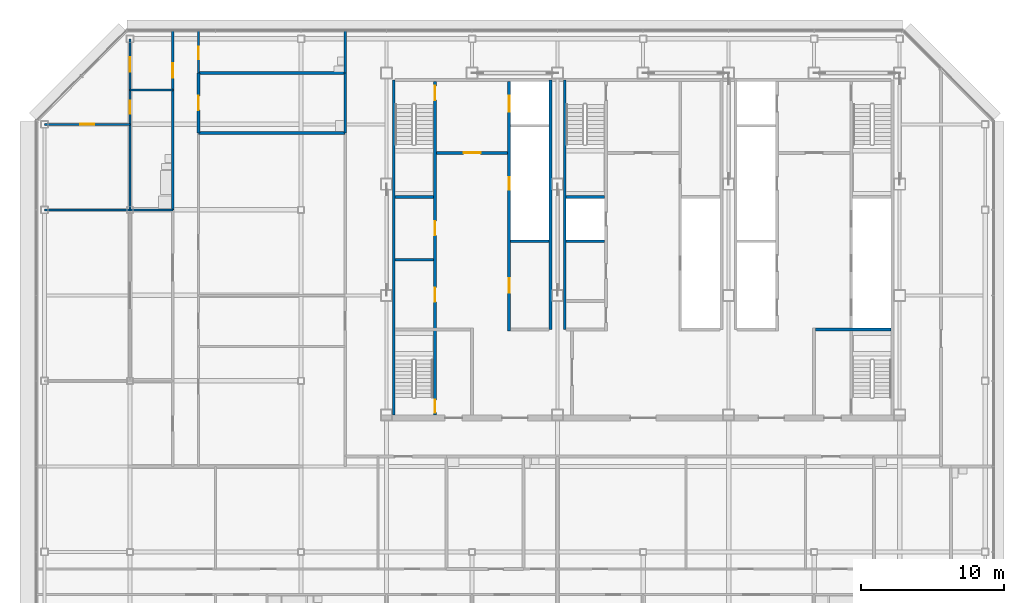
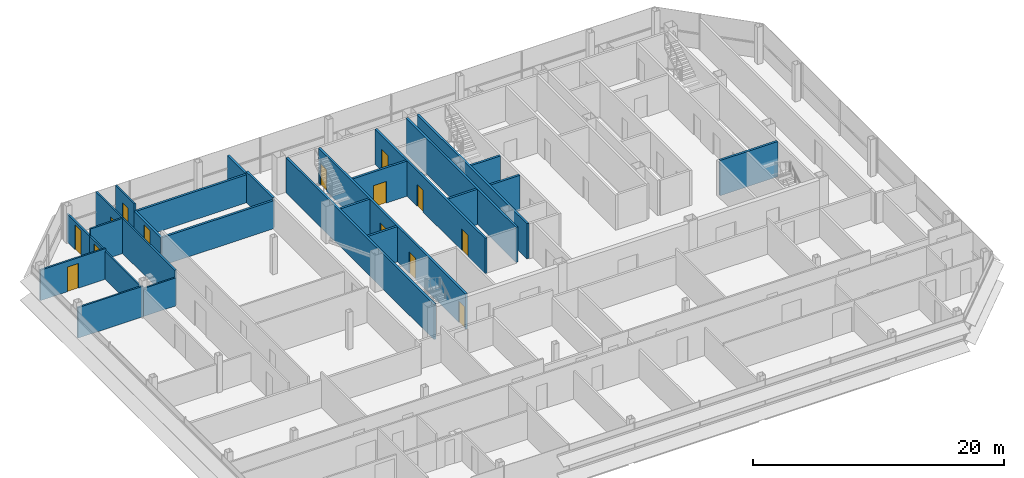
# One storey, part 23 of 27: 26 walls, 14 doors, 14 openings.
"""IFC4 building model written with IfcOpenShell, lengths in metres."""

from ifc_helpers import new_model, si_unit, direction, frame, frame_2d, origin, place, context, subcontext, project, spatial, rectangle, extrude, material, layer, layer_set, type_object, element, fill, save


model = new_model("IFC4")

# Units and contexts
model_context = context("Model", 3, precision=1e-05, world=origin(), true_north=direction((0.0, 1.0)))
body_context = subcontext(model_context, "Body", "Model", "MODEL_VIEW")
ifc_project = project(units=[si_unit("LENGTHUNIT", "METRE"), si_unit("AREAUNIT", "SQUARE_METRE"), si_unit("VOLUMEUNIT", "CUBIC_METRE"), si_unit("PLANEANGLEUNIT", "RADIAN"), si_unit("MASSUNIT", "GRAM", prefix="KILO")], contexts=[model_context])

# Site, building, storey
site_placement = place(None, origin())
site = spatial("IfcSite", under=ifc_project, at=site_placement, CompositionType="ELEMENT")
building_placement = place(site_placement, origin())
building = spatial("IfcBuilding", under=site, at=building_placement, Name="Sorahane Residences", CompositionType="ELEMENT")
storey_placement = place(building_placement, frame((0.0, 0.0, 316.0)))
storey = spatial("IfcBuildingStorey", under=building, at=storey_placement, Name="L75", CompositionType="ELEMENT", Elevation=316.0)

# Walls
ifc_material_1 = material(Name="Concrete C30", Category="concrete")
ifc_layer_1 = layer(ifc_material_1, 0.199951171875)
ifc_layer_set_1 = layer_set([ifc_layer_1], Name="Core face wall 200 EI 180")
wall_type_1 = type_object("IfcWallType", Name="Core face wall 200 EI 180", PredefinedType="SOLIDWALL", material=ifc_layer_set_1)
wall_1_placement = place(storey_placement, frame((6.5, 21.60009765625, 0.0), z_axis=(0.0, 0.0, 1.0), x_axis=(0.0, 1.0, 0.0)))
element("IfcWall", 1, at=wall_1_placement, inside=storey, type_object=wall_type_1, Name="L75 core face wall", PredefinedType="SOLIDWALL", context=body_context, shape_type="SweptSolid", body=[
    extrude(rectangle(XDim=23.5, YDim=0.199951171875, at=frame_2d((11.75, 0.0))), origin(), (0.0, 0.0, 1.0), 3.419921875),
])
for number, where, z_axis, x_axis, name in (
    (2, (17.5, 27.60009765625, 0.0), (0.0, 0.0, 1.0), (0.0, 1.0, 0.0), "L75 core face wall"),
    (3, (18.5, 27.60009765625, 0.0), (0.0, 0.0, 1.0), (0.0, 1.0, 0.0), "L75 core face wall"),
):
    element("IfcWall", number, at=place(storey_placement, frame(where, z_axis=z_axis, x_axis=x_axis)), inside=storey, type_object=wall_type_1, Name=name, PredefinedType="SOLIDWALL", context=body_context, shape_type="SweptSolid", body=[
        extrude(rectangle(XDim=17.5, YDim=0.199951171875, at=frame_2d((8.75, 0.0))), origin(), (0.0, 0.0, 1.0), 3.419921875),
    ])
ifc_material_2 = material(Name="Concrete blockwork C20 wall", Category="masonry")
ifc_layer_2 = layer(ifc_material_2, 0.199951171875)
ifc_layer_set_2 = layer_set([ifc_layer_2], Name="Corridor wall 200 EI 120")
wall_type_2 = type_object("IfcWallType", Name="Corridor wall 200 EI 120", PredefinedType="SOLIDWALL", material=ifc_layer_set_2)
wall_2_placement = place(storey_placement, frame((3.10009765625, 45.60009765625, 0.0), z_axis=(0.0, 0.0, 1.0), x_axis=(0.0, 1.0, 0.0)))
element("IfcWall", 4, at=wall_2_placement, inside=storey, type_object=wall_type_2, Name="L75 corridor wall", PredefinedType="SOLIDWALL", context=body_context, shape_type="SweptSolid", body=[
    extrude(rectangle(XDim=3.0, YDim=0.199951171875, at=frame_2d((1.5, 0.0))), origin(), (0.0, 0.0, 1.0), 2.719970703125),
])

# Wall, opening, door
ifc_material_3 = material(Name="Concrete C30", Category="concrete")
ifc_layer_3 = layer(ifc_material_3, 0.199951171875)
ifc_layer_set_3 = layer_set([ifc_layer_3], Name="Front room wall 200 EI 120")
wall_type_3 = type_object("IfcWallType", Name="Front room wall 200 EI 120", PredefinedType="PARTITIONING", material=ifc_layer_set_3)
wall_3_placement = place(storey_placement, frame((9.5, 40.0, 0.0), z_axis=(0.0, 0.0, 1.0), x_axis=(1.0, 0.0, 0.0)))
wall_3 = element("IfcWall", 5, at=wall_3_placement, inside=storey, type_object=wall_type_3, Name="L75 front room wall", PredefinedType="PARTITIONING", context=body_context, shape_type="SweptSolid", body=[
    extrude(rectangle(XDim=5.0, YDim=0.199951171875, at=frame_2d((2.5, 0.0))), origin(), (0.0, 0.0, 1.0), 3.419921875),
])
opening_1_placement = place(wall_3_placement, frame((1.89990234375, 0.0, 0.0)))
opening_1 = element("IfcOpeningElement", 6, at=opening_1_placement, cuts=wall_3, Name="Opening L75-C07", PredefinedType="OPENING", context=body_context, shape_type="SweptSolid", body=[
    extrude(rectangle(XDim=1.199951171875, YDim=2.10009765625, at=frame_2d((0.60009765625, 1.050048828125))), frame((0.0, 0.10986328125, 0.0), z_axis=(0.0, -1.0, 0.0), x_axis=(1.0, 0.0, 0.0)), (0.0, 0.0, 1.0), 0.219970703125),
])
ifc_material_4 = material(Name="Steel", Category="steel")
door_type_1 = type_object("IfcDoorType", Name="Front room door 1200x2100 FD120", OperationType="NOTDEFINED", PredefinedType="DOOR", material=ifc_material_4)
door_1_placement = place(opening_1_placement, frame((1.199951171875, 0.0, 0.0), z_axis=(0.0, 0.0, 1.0), x_axis=(-1.0, 0.0, 0.0)))
door_1 = element("IfcDoor", 7, at=door_1_placement, inside=storey, type_object=door_type_1, Name="Front room door Firefighting lobby FF1 front room L75", OperationType="DOUBLE_DOOR_SINGLE_SWING", OverallHeight=2.10009765625, OverallWidth=1.199951171875, PredefinedType="DOOR", context=body_context, shape_type="SweptSolid", body=[
    extrude(rectangle(XDim=1.199951171875, YDim=2.10009765625, at=frame_2d((0.60009765625, 1.050048828125))), frame((0.0, 0.02490234375, 0.0), z_axis=(0.0, -1.0, 0.0), x_axis=(1.0, 0.0, 0.0)), (0.0, 0.0, 1.0), 0.050048828125),
])
fill(opening_1, door_1)

ifc_material_5 = material(Name="Concrete blockwork C20 wall", Category="masonry")
ifc_layer_4 = layer(ifc_material_5, 0.199951171875)
ifc_layer_set_4 = layer_set([ifc_layer_4], Name="Kitchen wall 200 EI 180")
wall_type_4 = type_object("IfcWallType", Name="Kitchen wall 200 EI 180", PredefinedType="SOLIDWALL", material=ifc_layer_set_4)
wall_4_placement = place(storey_placement, frame((-7.199951171875, 41.39990234375, 0.0), z_axis=(0.0, 0.0, 1.0), x_axis=(0.0, 1.0, 0.0)))
wall_4 = element("IfcWall", 8, at=wall_4_placement, inside=storey, type_object=wall_type_4, Name="L75 kitchen wall", PredefinedType="SOLIDWALL", context=body_context, shape_type="SweptSolid", body=[
    extrude(rectangle(XDim=4.2001953125, YDim=0.199951171875, at=frame_2d((2.10009765625, 0.0))), origin(), (0.0, 0.0, 1.0), 2.719970703125),
])
opening_2_placement = place(wall_4_placement, frame((1.60009765625, 0.0, 0.0)))
opening_2 = element("IfcOpeningElement", 9, at=opening_2_placement, cuts=wall_4, Name="Opening L75-29", PredefinedType="OPENING", context=body_context, shape_type="SweptSolid", body=[
    extrude(rectangle(XDim=1.0, YDim=2.39990234375, at=frame_2d((0.5, 1.199951171875))), frame((0.0, 0.10986328125, 0.0), z_axis=(0.0, -1.0, 0.0), x_axis=(1.0, 0.0, 0.0)), (0.0, 0.0, 1.0), 0.219970703125),
])
ifc_material_6 = material(Name="Steel", Category="steel")
door_type_2 = type_object("IfcDoorType", Name="Kitchen door 1000x2400 FD120", OperationType="NOTDEFINED", PredefinedType="DOOR", material=ifc_material_6)
door_2_placement = place(opening_2_placement, frame((1.0, 0.0, 0.0), z_axis=(0.0, 0.0, 1.0), x_axis=(-1.0, 0.0, 0.0)))
door_2 = element("IfcDoor", 10, at=door_2_placement, inside=storey, type_object=door_type_2, Name="Kitchen door L75-29", OperationType="SINGLE_SWING_LEFT", OverallHeight=2.39990234375, OverallWidth=1.0, PredefinedType="DOOR", context=body_context, shape_type="SweptSolid", body=[
    extrude(rectangle(XDim=1.0, YDim=2.39990234375, at=frame_2d((0.5, 1.199951171875))), frame((0.0, 0.02490234375, 0.0), z_axis=(0.0, -1.0, 0.0), x_axis=(1.0, 0.0, 0.0)), (0.0, 0.0, 1.0), 0.050048828125),
])
fill(opening_2, door_2)

# Walls
wall_5_placement = place(storey_placement, frame((3.10009765625, 41.39990234375, 0.0), z_axis=(0.0, 0.0, 1.0), x_axis=(0.0, 1.0, 0.0)))
element("IfcWall", 11, at=wall_5_placement, inside=storey, type_object=wall_type_4, Name="L75 kitchen wall", PredefinedType="SOLIDWALL", context=body_context, shape_type="SweptSolid", body=[
    extrude(rectangle(XDim=4.2001953125, YDim=0.199951171875, at=frame_2d((2.10009765625, 0.0))), origin(), (0.0, 0.0, 1.0), 2.969970703125),
])
for number, where, z_axis, x_axis, name in (
    (12, (-7.199951171875, 41.39990234375, 0.0), (0.0, 0.0, 1.0), (1.0, 0.0, 0.0), "L75 kitchen wall"),
    (13, (-7.199951171875, 45.60009765625, 0.0), (0.0, 0.0, 1.0), (1.0, 0.0, 0.0), "L75 kitchen wall"),
):
    element("IfcWall", number, at=place(storey_placement, frame(where, z_axis=z_axis, x_axis=x_axis)), inside=storey, type_object=wall_type_4, Name=name, PredefinedType="SOLIDWALL", context=body_context, shape_type="SweptSolid", body=[
        extrude(rectangle(XDim=10.300048828125, YDim=0.199951171875, at=frame_2d((5.14990234375, 0.0))), origin(), (0.0, 0.0, 1.0), 2.719970703125),
    ])

# Wall, openings, doors
ifc_material_7 = material(Name="Concrete C30", Category="concrete")
ifc_layer_5 = layer(ifc_material_7, 0.199951171875)
ifc_layer_set_5 = layer_set([ifc_layer_5], Name="Lift shaft wall 200 EI 120")
wall_type_5 = type_object("IfcWallType", Name="Lift shaft wall 200 EI 120", PredefinedType="SOLIDWALL", material=ifc_layer_set_5)
wall_6_placement = place(storey_placement, frame((14.60009765625, 27.5, 0.0), z_axis=(0.0, 0.0, 1.0), x_axis=(0.0, 1.0, 0.0)))
wall_6 = element("IfcWall", 14, at=wall_6_placement, inside=storey, type_object=wall_type_5, Name="L75 lift shaft wall", PredefinedType="SOLIDWALL", context=body_context, shape_type="SweptSolid", body=[
    extrude(rectangle(XDim=17.5, YDim=0.199951171875, at=frame_2d((8.75, 0.0))), origin(), (0.0, 0.0, 1.0), 3.419921875),
])
opening_3_placement = place(wall_6_placement, frame((15.39990234375, 0.0, 0.0)))
opening_3 = element("IfcOpeningElement", 15, at=opening_3_placement, cuts=wall_6, Name="Opening L75-C16", PredefinedType="OPENING", context=body_context, shape_type="SweptSolid", body=[
    extrude(rectangle(XDim=1.10009765625, YDim=2.10009765625, at=frame_2d((0.550048828125, 1.050048828125))), frame((0.0, 0.10986328125, 0.0), z_axis=(0.0, -1.0, 0.0), x_axis=(1.0, 0.0, 0.0)), (0.0, 0.0, 1.0), 0.219970703125),
])
opening_4_placement = place(wall_6_placement, frame((2.699951171875, 0.0, 0.0)))
opening_4 = element("IfcOpeningElement", 16, at=opening_4_placement, cuts=wall_6, Name="Opening L75-C19", PredefinedType="OPENING", context=body_context, shape_type="SweptSolid", body=[
    extrude(rectangle(XDim=1.0, YDim=2.10009765625, at=frame_2d((0.5, 1.050048828125))), frame((0.0, 0.10986328125, 0.0), z_axis=(0.0, -1.0, 0.0), x_axis=(1.0, 0.0, 0.0)), (0.0, 0.0, 1.0), 0.219970703125),
])
opening_5_placement = place(wall_6_placement, frame((9.89990234375, 0.0, 0.0)))
opening_5 = element("IfcOpeningElement", 17, at=opening_5_placement, cuts=wall_6, Name="Opening L75-C27", PredefinedType="OPENING", context=body_context, shape_type="SweptSolid", body=[
    extrude(rectangle(XDim=0.89990234375, YDim=2.10009765625, at=frame_2d((0.449951171875, 1.050048828125))), frame((0.0, 0.10986328125, 0.0), z_axis=(0.0, -1.0, 0.0), x_axis=(1.0, 0.0, 0.0)), (0.0, 0.0, 1.0), 0.219970703125),
])
ifc_material_8 = material(Name="Aluminium and stainless steel", Category="steel")
door_type_3 = type_object("IfcDoorType", Name="Lift landing door 1100x2100 E 60", OperationType="NOTDEFINED", PredefinedType="DOOR", material=ifc_material_8)
door_3_placement = place(opening_3_placement, origin())
door_3 = element("IfcDoor", 18, at=door_3_placement, inside=storey, type_object=door_type_3, Name="Lift landing door FF1 L75", OperationType="DOUBLE_DOOR_SLIDING", OverallHeight=2.10009765625, OverallWidth=1.10009765625, PredefinedType="DOOR", context=body_context, shape_type="SweptSolid", body=[
    extrude(rectangle(XDim=1.10009765625, YDim=2.10009765625, at=frame_2d((0.550048828125, 1.050048828125))), frame((0.0, 0.02490234375, 0.0), z_axis=(0.0, -1.0, 0.0), x_axis=(1.0, 0.0, 0.0)), (0.0, 0.0, 1.0), 0.050048828125),
])
fill(opening_3, door_3)
ifc_material_9 = material(Name="Steel", Category="steel")
door_type_4 = type_object("IfcDoorType", Name="Riser door 900x2100 FD120", OperationType="NOTDEFINED", PredefinedType="DOOR", material=ifc_material_9)
door_4_placement = place(opening_5_placement, origin())
door_4 = element("IfcDoor", 19, at=door_4_placement, inside=storey, type_object=door_type_4, Name="Riser door R1 L75", OperationType="SINGLE_SWING_LEFT", OverallHeight=2.10009765625, OverallWidth=0.89990234375, PredefinedType="DOOR", context=body_context, shape_type="SweptSolid", body=[
    extrude(rectangle(XDim=0.89990234375, YDim=2.10009765625, at=frame_2d((0.449951171875, 1.050048828125))), frame((0.0, 0.02490234375, 0.0), z_axis=(0.0, -1.0, 0.0), x_axis=(1.0, 0.0, 0.0)), (0.0, 0.0, 1.0), 0.050048828125),
])
fill(opening_5, door_4)
ifc_material_10 = material(Name="Steel", Category="steel")
door_type_5 = type_object("IfcDoorType", Name="Service room door 1000x2100 FD60", OperationType="NOTDEFINED", PredefinedType="DOOR", material=ifc_material_10)
door_5_placement = place(opening_4_placement, frame((1.0, 0.0, 0.0), z_axis=(0.0, 0.0, 1.0), x_axis=(-1.0, 0.0, 0.0)))
door_5 = element("IfcDoor", 20, at=door_5_placement, inside=storey, type_object=door_type_5, Name="Service room door Lounge L75", OperationType="SINGLE_SWING_RIGHT", OverallHeight=2.10009765625, OverallWidth=1.0, PredefinedType="DOOR", context=body_context, shape_type="SweptSolid", body=[
    extrude(rectangle(XDim=1.0, YDim=2.10009765625, at=frame_2d((0.5, 1.050048828125))), frame((0.0, 0.02490234375, 0.0), z_axis=(0.0, -1.0, 0.0), x_axis=(1.0, 0.0, 0.0)), (0.0, 0.0, 1.0), 0.050048828125),
])
fill(opening_4, door_5)

# Wall, opening, door
ifc_material_11 = material(Name="Gypsum board partition on steel studs", Category="steel")
ifc_layer_6 = layer(ifc_material_11, 0.14990234375)
ifc_layer_set_6 = layer_set([ifc_layer_6], Name="Partition 150 EI 90")
wall_type_6 = type_object("IfcWallType", Name="Partition 150 EI 90", PredefinedType="PARTITIONING", material=ifc_layer_set_6)
wall_7_placement = place(storey_placement, frame((-12.0, 44.39990234375, 0.0), z_axis=(0.0, 0.0, 1.0), x_axis=(0.0, 1.0, 0.0)))
wall_7 = element("IfcWall", 21, at=wall_7_placement, inside=storey, type_object=wall_type_6, Name="L75 partition", PredefinedType="PARTITIONING", context=body_context, shape_type="SweptSolid", body=[
    extrude(rectangle(XDim=3.60009765625, YDim=0.14990234375, at=frame_2d((1.800048828125, 0.0))), origin(), (0.0, 0.0, 1.0), 2.719970703125),
])
opening_6_placement = place(wall_7_placement, frame((1.300048828125, 0.0, 0.0)))
opening_6 = element("IfcOpeningElement", 22, at=opening_6_placement, cuts=wall_7, Name="Opening L75-35", PredefinedType="OPENING", context=body_context, shape_type="SweptSolid", body=[
    extrude(rectangle(XDim=1.0, YDim=2.39990234375, at=frame_2d((0.5, 1.199951171875))), frame((0.0, 0.0849609375, 0.0), z_axis=(0.0, -1.0, 0.0), x_axis=(1.0, 0.0, 0.0)), (0.0, 0.0, 1.0), 0.169921875),
])
ifc_material_12 = material(Name="Timber veneered fire door", Category="wood")
door_type_6 = type_object("IfcDoorType", Name="Room door 1000x2400 FD30", OperationType="NOTDEFINED", PredefinedType="DOOR", material=ifc_material_12)
door_6_placement = place(opening_6_placement, origin())
door_6 = element("IfcDoor", 23, at=door_6_placement, inside=storey, type_object=door_type_6, Name="Room door L75-35", OperationType="SINGLE_SWING_RIGHT", OverallHeight=2.39990234375, OverallWidth=1.0, PredefinedType="DOOR", context=body_context, shape_type="SweptSolid", body=[
    extrude(rectangle(XDim=1.0, YDim=2.39990234375, at=frame_2d((0.5, 1.199951171875))), frame((0.0, 0.02490234375, 0.0), z_axis=(0.0, -1.0, 0.0), x_axis=(1.0, 0.0, 0.0)), (0.0, 0.0, 1.0), 0.050048828125),
])
fill(opening_6, door_6)

wall_8_placement = place(storey_placement, frame((-9.0, 44.39990234375, 0.0), z_axis=(0.0, 0.0, 1.0), x_axis=(0.0, 1.0, 0.0)))
wall_8 = element("IfcWall", 24, at=wall_8_placement, inside=storey, type_object=wall_type_6, Name="L75 partition", PredefinedType="PARTITIONING", context=body_context, shape_type="SweptSolid", body=[
    extrude(rectangle(XDim=4.2001953125, YDim=0.14990234375, at=frame_2d((2.10009765625, 0.0))), origin(), (0.0, 0.0, 1.0), 3.419921875),
])
opening_7_placement = place(wall_8_placement, frame((0.8798828125, 0.0, 0.0)))
opening_7 = element("IfcOpeningElement", 25, at=opening_7_placement, cuts=wall_8, Name="Opening L75-33", PredefinedType="OPENING", context=body_context, shape_type="SweptSolid", body=[
    extrude(rectangle(XDim=1.0, YDim=2.39990234375, at=frame_2d((0.5, 1.199951171875))), frame((0.0, 0.0849609375, 0.0), z_axis=(0.0, -1.0, 0.0), x_axis=(1.0, 0.0, 0.0)), (0.0, 0.0, 1.0), 0.169921875),
])
door_7_placement = place(opening_7_placement, origin())
door_7 = element("IfcDoor", 26, at=door_7_placement, inside=storey, type_object=door_type_6, Name="Room door L75-33", OperationType="SINGLE_SWING_RIGHT", OverallHeight=2.39990234375, OverallWidth=1.0, PredefinedType="DOOR", context=body_context, shape_type="SweptSolid", body=[
    extrude(rectangle(XDim=1.0, YDim=2.39990234375, at=frame_2d((0.5, 1.199951171875))), frame((0.0, 0.02490234375, 0.0), z_axis=(0.0, -1.0, 0.0), x_axis=(1.0, 0.0, 0.0)), (0.0, 0.0, 1.0), 0.050048828125),
])
fill(opening_7, door_7)

# Wall
wall_9_placement = place(storey_placement, frame((-18.0, 36.0, 0.0), z_axis=(0.0, 0.0, 1.0), x_axis=(1.0, 0.0, 0.0)))
element("IfcWall", 27, at=wall_9_placement, inside=storey, type_object=wall_type_6, Name="L75 partition", PredefinedType="PARTITIONING", context=body_context, shape_type="SweptSolid", body=[
    extrude(rectangle(XDim=6.0, YDim=0.14990234375, at=frame_2d((3.0, 0.0))), origin(), (0.0, 0.0, 1.0), 2.969970703125),
])

# Wall, opening, door
wall_10_placement = place(storey_placement, frame((-18.0, 42.0, 0.0), z_axis=(0.0, 0.0, 1.0), x_axis=(1.0, 0.0, 0.0)))
wall_10 = element("IfcWall", 28, at=wall_10_placement, inside=storey, type_object=wall_type_6, Name="L75 partition", PredefinedType="PARTITIONING", context=body_context, shape_type="SweptSolid", body=[
    extrude(rectangle(XDim=6.0, YDim=0.14990234375, at=frame_2d((3.0, 0.0))), origin(), (0.0, 0.0, 1.0), 2.969970703125),
])
opening_8_placement = place(wall_10_placement, frame((2.5, 0.0, 0.0)))
opening_8 = element("IfcOpeningElement", 29, at=opening_8_placement, cuts=wall_10, Name="Opening L75-36", PredefinedType="OPENING", context=body_context, shape_type="SweptSolid", body=[
    extrude(rectangle(XDim=1.0, YDim=2.39990234375, at=frame_2d((0.5, 1.199951171875))), frame((0.0, 0.0849609375, 0.0), z_axis=(0.0, -1.0, 0.0), x_axis=(1.0, 0.0, 0.0)), (0.0, 0.0, 1.0), 0.169921875),
])
door_8_placement = place(opening_8_placement, frame((1.0, 0.0, 0.0), z_axis=(0.0, 0.0, 1.0), x_axis=(-1.0, 0.0, 0.0)))
door_8 = element("IfcDoor", 30, at=door_8_placement, inside=storey, type_object=door_type_6, Name="Room door L75-36", OperationType="SINGLE_SWING_LEFT", OverallHeight=2.39990234375, OverallWidth=1.0, PredefinedType="DOOR", context=body_context, shape_type="SweptSolid", body=[
    extrude(rectangle(XDim=1.0, YDim=2.39990234375, at=frame_2d((0.5, 1.199951171875))), frame((0.0, 0.02490234375, 0.0), z_axis=(0.0, -1.0, 0.0), x_axis=(1.0, 0.0, 0.0)), (0.0, 0.0, 1.0), 0.050048828125),
])
fill(opening_8, door_8)

# Walls
ifc_material_13 = material(Name="Concrete C30", Category="concrete")
ifc_layer_7 = layer(ifc_material_13, 0.199951171875)
ifc_layer_set_7 = layer_set([ifc_layer_7], Name="Riser shaft wall 200 EI 120")
wall_type_7 = type_object("IfcWallType", Name="Riser shaft wall 200 EI 120", PredefinedType="SOLIDWALL", material=ifc_layer_set_7)
for number, where, z_axis, x_axis, name in (
    (31, (14.699951171875, 33.800048828125, 0.0), (0.0, 0.0, 1.0), (1.0, 0.0, 0.0), "L75 riser wall"),
    (32, (18.60009765625, 33.800048828125, 0.0), (0.0, 0.0, 1.0), (1.0, 0.0, 0.0), "L75 riser wall"),
):
    element("IfcWall", number, at=place(storey_placement, frame(where, z_axis=z_axis, x_axis=x_axis)), inside=storey, type_object=wall_type_7, Name=name, PredefinedType="SOLIDWALL", context=body_context, shape_type="SweptSolid", body=[
        extrude(rectangle(XDim=2.699951171875, YDim=0.199951171875, at=frame_2d((1.35009765625, 0.0))), origin(), (0.0, 0.0, 1.0), 3.419921875),
    ])
ifc_material_14 = material(Name="Concrete C30", Category="concrete")
ifc_layer_8 = layer(ifc_material_14, 0.199951171875)
ifc_layer_set_8 = layer_set([ifc_layer_8], Name="Service room partition 200 EI 60")
wall_type_8 = type_object("IfcWallType", Name="Service room partition 200 EI 60", PredefinedType="PARTITIONING", material=ifc_layer_set_8)
wall_11_placement = place(storey_placement, frame((6.60009765625, 32.5, 0.0), z_axis=(0.0, 0.0, 1.0), x_axis=(1.0, 0.0, 0.0)))
element("IfcWall", 33, at=wall_11_placement, inside=storey, type_object=wall_type_8, Name="L75 service room wall", PredefinedType="PARTITIONING", context=body_context, shape_type="SweptSolid", body=[
    extrude(rectangle(XDim=2.699951171875, YDim=0.199951171875, at=frame_2d((1.35009765625, 0.0))), origin(), (0.0, 0.0, 1.0), 3.419921875),
])

# Wall, openings, doors
ifc_material_15 = material(Name="Concrete C30", Category="concrete")
ifc_layer_9 = layer(ifc_material_15, 0.199951171875)
ifc_layer_set_9 = layer_set([ifc_layer_9], Name="Stair enclosure wall 200 EI 120")
wall_type_9 = type_object("IfcWallType", Name="Stair enclosure wall 200 EI 120", PredefinedType="SOLIDWALL", material=ifc_layer_set_9)
wall_12_placement = place(storey_placement, frame((9.39990234375, 21.60009765625, 0.0), z_axis=(0.0, 0.0, 1.0), x_axis=(0.0, 1.0, 0.0)))
wall_12 = element("IfcWall", 34, at=wall_12_placement, inside=storey, type_object=wall_type_9, Name="L75 stair enclosure wall", PredefinedType="SOLIDWALL", context=body_context, shape_type="SweptSolid", body=[
    extrude(rectangle(XDim=23.39990234375, YDim=0.199951171875, at=frame_2d((11.699951171875, 0.0))), origin(), (0.0, 0.0, 1.0), 3.419921875),
])
opening_9_placement = place(wall_12_placement, frame((7.949951171875, 0.0, 0.0)))
opening_9 = element("IfcOpeningElement", 35, at=opening_9_placement, cuts=wall_12, Name="Opening L75-C20", PredefinedType="OPENING", context=body_context, shape_type="SweptSolid", body=[
    extrude(rectangle(XDim=1.0, YDim=2.10009765625, at=frame_2d((0.5, 1.050048828125))), frame((0.0, 0.10986328125, 0.0), z_axis=(0.0, -1.0, 0.0), x_axis=(1.0, 0.0, 0.0)), (0.0, 0.0, 1.0), 0.219970703125),
])
opening_10_placement = place(wall_12_placement, frame((12.60009765625, 0.0, 0.0)))
opening_10 = element("IfcOpeningElement", 36, at=opening_10_placement, cuts=wall_12, Name="Opening L75-C21", PredefinedType="OPENING", context=body_context, shape_type="SweptSolid", body=[
    extrude(rectangle(XDim=1.0, YDim=2.10009765625, at=frame_2d((0.5, 1.050048828125))), frame((0.0, 0.10986328125, 0.0), z_axis=(0.0, -1.0, 0.0), x_axis=(1.0, 0.0, 0.0)), (0.0, 0.0, 1.0), 0.219970703125),
])
opening_11_placement = place(wall_12_placement, frame((22.10009765625, 0.0, 0.0)))
opening_11 = element("IfcOpeningElement", 37, at=opening_11_placement, cuts=wall_12, Name="Opening L75-C22", PredefinedType="OPENING", context=body_context, shape_type="SweptSolid", body=[
    extrude(rectangle(XDim=1.0, YDim=2.10009765625, at=frame_2d((0.5, 1.050048828125))), frame((0.0, 0.10986328125, 0.0), z_axis=(0.0, -1.0, 0.0), x_axis=(1.0, 0.0, 0.0)), (0.0, 0.0, 1.0), 0.219970703125),
])
opening_12_placement = place(wall_12_placement, frame((0.175048828125, 0.0, 0.0)))
opening_12 = element("IfcOpeningElement", 38, at=opening_12_placement, cuts=wall_12, Name="Opening L75-C25", PredefinedType="OPENING", context=body_context, shape_type="SweptSolid", body=[
    extrude(rectangle(XDim=0.89990234375, YDim=2.10009765625, at=frame_2d((0.449951171875, 1.050048828125))), frame((0.0, 0.10986328125, 0.0), z_axis=(0.0, -1.0, 0.0), x_axis=(1.0, 0.0, 0.0)), (0.0, 0.0, 1.0), 0.219970703125),
])
door_9_placement = place(opening_9_placement, origin())
door_9 = element("IfcDoor", 39, at=door_9_placement, inside=storey, type_object=door_type_5, Name="Service room door Guest suite store L75", OperationType="SINGLE_SWING_LEFT", OverallHeight=2.10009765625, OverallWidth=1.0, PredefinedType="DOOR", context=body_context, shape_type="SweptSolid", body=[
    extrude(rectangle(XDim=1.0, YDim=2.10009765625, at=frame_2d((0.5, 1.050048828125))), frame((0.0, 0.02490234375, 0.0), z_axis=(0.0, -1.0, 0.0), x_axis=(1.0, 0.0, 0.0)), (0.0, 0.0, 1.0), 0.050048828125),
])
fill(opening_9, door_9)
door_10_placement = place(opening_10_placement, origin())
door_10 = element("IfcDoor", 40, at=door_10_placement, inside=storey, type_object=door_type_5, Name="Service room door Linen store L75", OperationType="SINGLE_SWING_RIGHT", OverallHeight=2.10009765625, OverallWidth=1.0, PredefinedType="DOOR", context=body_context, shape_type="SweptSolid", body=[
    extrude(rectangle(XDim=1.0, YDim=2.10009765625, at=frame_2d((0.5, 1.050048828125))), frame((0.0, 0.02490234375, 0.0), z_axis=(0.0, -1.0, 0.0), x_axis=(1.0, 0.0, 0.0)), (0.0, 0.0, 1.0), 0.050048828125),
])
fill(opening_10, door_10)
ifc_material_16 = material(Name="Steel", Category="steel")
door_type_7 = type_object("IfcDoorType", Name="Stair door 1000x2100 FD120", OperationType="NOTDEFINED", PredefinedType="DOOR", material=ifc_material_16)
door_11_placement = place(opening_11_placement, origin())
door_11 = element("IfcDoor", 41, at=door_11_placement, inside=storey, type_object=door_type_7, Name="Stair door S1 L75", OperationType="SINGLE_SWING_LEFT", OverallHeight=2.10009765625, OverallWidth=1.0, PredefinedType="DOOR", context=body_context, shape_type="SweptSolid", body=[
    extrude(rectangle(XDim=1.0, YDim=2.10009765625, at=frame_2d((0.5, 1.050048828125))), frame((0.0, 0.02490234375, 0.0), z_axis=(0.0, -1.0, 0.0), x_axis=(1.0, 0.0, 0.0)), (0.0, 0.0, 1.0), 0.050048828125),
])
fill(opening_11, door_11)
ifc_material_17 = material(Name="Steel", Category="steel")
door_type_8 = type_object("IfcDoorType", Name="Stair door 900x2100 FD120", OperationType="NOTDEFINED", PredefinedType="DOOR", material=ifc_material_17)
door_12_placement = place(opening_12_placement, origin())
door_12 = element("IfcDoor", 42, at=door_12_placement, inside=storey, type_object=door_type_8, Name="Stair door S4 L75", OperationType="SINGLE_SWING_LEFT", OverallHeight=2.10009765625, OverallWidth=0.89990234375, PredefinedType="DOOR", context=body_context, shape_type="SweptSolid", body=[
    extrude(rectangle(XDim=0.89990234375, YDim=2.10009765625, at=frame_2d((0.449951171875, 1.050048828125))), frame((0.0, 0.02490234375, 0.0), z_axis=(0.0, -1.0, 0.0), x_axis=(1.0, 0.0, 0.0)), (0.0, 0.0, 1.0), 0.050048828125),
])
fill(opening_12, door_12)

# Walls
wall_13_placement = place(storey_placement, frame((36.10009765625, 27.60009765625, 0.0), z_axis=(0.0, 0.0, 1.0), x_axis=(1.0, 0.0, 0.0)))
element("IfcWall", 43, at=wall_13_placement, inside=storey, type_object=wall_type_9, Name="L75 stair enclosure wall", PredefinedType="SOLIDWALL", context=body_context, shape_type="SweptSolid", body=[
    extrude(rectangle(XDim=5.2998046875, YDim=0.199951171875, at=frame_2d((2.64990234375, 0.0))), origin(), (0.0, 0.0, 1.0), 3.419921875),
])
for number, where, z_axis, x_axis, name in (
    (44, (18.60009765625, 36.89990234375, 0.0), (0.0, 0.0, 1.0), (1.0, 0.0, 0.0), "L75 stair enclosure wall"),
    (45, (6.60009765625, 36.89990234375, 0.0), (0.0, 0.0, 1.0), (1.0, 0.0, 0.0), "L75 stair enclosure wall"),
):
    element("IfcWall", number, at=place(storey_placement, frame(where, z_axis=z_axis, x_axis=x_axis)), inside=storey, type_object=wall_type_9, Name=name, PredefinedType="SOLIDWALL", context=body_context, shape_type="SweptSolid", body=[
        extrude(rectangle(XDim=2.699951171875, YDim=0.199951171875, at=frame_2d((1.35009765625, 0.0))), origin(), (0.0, 0.0, 1.0), 3.419921875),
    ])

# Wall, opening, door
ifc_material_18 = material(Name="Gypsum board partition on steel studs", Category="steel")
ifc_layer_10 = layer(ifc_material_18, 0.14990234375)
ifc_layer_set_10 = layer_set([ifc_layer_10], Name="Wet wall 150 EI 90")
wall_type_10 = type_object("IfcWallType", Name="Wet wall 150 EI 90", PredefinedType="PARTITIONING", material=ifc_layer_set_10)
wall_14_placement = place(storey_placement, frame((-12.0, 36.0, 0.0), z_axis=(0.0, 0.0, 1.0), x_axis=(0.0, 1.0, 0.0)))
wall_14 = element("IfcWall", 46, at=wall_14_placement, inside=storey, type_object=wall_type_10, Name="L75 wet wall", PredefinedType="PARTITIONING", context=body_context, shape_type="SweptSolid", body=[
    extrude(rectangle(XDim=8.39990234375, YDim=0.14990234375, at=frame_2d((4.199951171875, 0.0))), origin(), (0.0, 0.0, 1.0), 2.719970703125),
])
opening_13_placement = place(wall_14_placement, frame((6.75, 0.0, 0.0)))
opening_13 = element("IfcOpeningElement", 47, at=opening_13_placement, cuts=wall_14, Name="Opening L75-37", PredefinedType="OPENING", context=body_context, shape_type="SweptSolid", body=[
    extrude(rectangle(XDim=0.89990234375, YDim=2.39990234375, at=frame_2d((0.449951171875, 1.199951171875))), frame((0.0, 0.0849609375, 0.0), z_axis=(0.0, -1.0, 0.0), x_axis=(1.0, 0.0, 0.0)), (0.0, 0.0, 1.0), 0.169921875),
])
ifc_material_19 = material(Name="Timber veneered fire door", Category="wood")
door_type_9 = type_object("IfcDoorType", Name="Bathroom door 900x2400 FD30", OperationType="NOTDEFINED", PredefinedType="DOOR", material=ifc_material_19)
door_13_placement = place(opening_13_placement, origin())
door_13 = element("IfcDoor", 48, at=door_13_placement, inside=storey, type_object=door_type_9, Name="Bathroom door L75-37", OperationType="SINGLE_SWING_RIGHT", OverallHeight=2.39990234375, OverallWidth=0.89990234375, PredefinedType="DOOR", context=body_context, shape_type="SweptSolid", body=[
    extrude(rectangle(XDim=0.89990234375, YDim=2.39990234375, at=frame_2d((0.449951171875, 1.199951171875))), frame((0.0, 0.02490234375, 0.0), z_axis=(0.0, -1.0, 0.0), x_axis=(1.0, 0.0, 0.0)), (0.0, 0.0, 1.0), 0.050048828125),
])
fill(opening_13, door_13)

wall_15_placement = place(storey_placement, frame((-7.199951171875, 45.60009765625, 0.0), z_axis=(0.0, 0.0, 1.0), x_axis=(0.0, 1.0, 0.0)))
wall_15 = element("IfcWall", 49, at=wall_15_placement, inside=storey, type_object=wall_type_10, Name="L75 wet wall", PredefinedType="PARTITIONING", context=body_context, shape_type="SweptSolid", body=[
    extrude(rectangle(XDim=3.0, YDim=0.14990234375, at=frame_2d((1.5, 0.0))), origin(), (0.0, 0.0, 1.0), 3.419921875),
])
opening_14_placement = place(wall_15_placement, frame((0.949951171875, 0.0, 0.0)))
opening_14 = element("IfcOpeningElement", 50, at=opening_14_placement, cuts=wall_15, Name="Opening L75-30", PredefinedType="OPENING", context=body_context, shape_type="SweptSolid", body=[
    extrude(rectangle(XDim=0.89990234375, YDim=2.39990234375, at=frame_2d((0.449951171875, 1.199951171875))), frame((0.0, 0.0849609375, 0.0), z_axis=(0.0, -1.0, 0.0), x_axis=(1.0, 0.0, 0.0)), (0.0, 0.0, 1.0), 0.169921875),
])
door_14_placement = place(opening_14_placement, origin())
door_14 = element("IfcDoor", 51, at=door_14_placement, inside=storey, type_object=door_type_9, Name="Bathroom door L75-30", OperationType="SINGLE_SWING_RIGHT", OverallHeight=2.39990234375, OverallWidth=0.89990234375, PredefinedType="DOOR", context=body_context, shape_type="SweptSolid", body=[
    extrude(rectangle(XDim=0.89990234375, YDim=2.39990234375, at=frame_2d((0.449951171875, 1.199951171875))), frame((0.0, 0.02490234375, 0.0), z_axis=(0.0, -1.0, 0.0), x_axis=(1.0, 0.0, 0.0)), (0.0, 0.0, 1.0), 0.050048828125),
])
fill(opening_14, door_14)

# Walls
wall_16_placement = place(storey_placement, frame((-9.0, 36.0, 0.0), z_axis=(0.0, 0.0, 1.0), x_axis=(0.0, 1.0, 0.0)))
element("IfcWall", 52, at=wall_16_placement, inside=storey, type_object=wall_type_10, Name="L75 wet wall", PredefinedType="PARTITIONING", context=body_context, shape_type="SweptSolid", body=[
    extrude(rectangle(XDim=8.39990234375, YDim=0.14990234375, at=frame_2d((4.199951171875, 0.0))), origin(), (0.0, 0.0, 1.0), 3.419921875),
])
wall_17_placement = place(storey_placement, frame((-12.0, 36.0, 0.0), z_axis=(0.0, 0.0, 1.0), x_axis=(1.0, 0.0, 0.0)))
element("IfcWall", 53, at=wall_17_placement, inside=storey, type_object=wall_type_10, Name="L75 wet wall", PredefinedType="PARTITIONING", context=body_context, shape_type="SweptSolid", body=[
    extrude(rectangle(XDim=3.0, YDim=0.14990234375, at=frame_2d((1.5, 0.0))), origin(), (0.0, 0.0, 1.0), 2.719970703125),
])
wall_18_placement = place(storey_placement, frame((-12.0, 44.39990234375, 0.0), z_axis=(0.0, 0.0, 1.0), x_axis=(1.0, 0.0, 0.0)))
element("IfcWall", 54, at=wall_18_placement, inside=storey, type_object=wall_type_10, Name="L75 wet wall", PredefinedType="PARTITIONING", context=body_context, shape_type="SweptSolid", body=[
    extrude(rectangle(XDim=3.0, YDim=0.14990234375, at=frame_2d((1.5, 0.0))), origin(), (0.0, 0.0, 1.0), 3.419921875),
])

save(model, "model.ifc")
